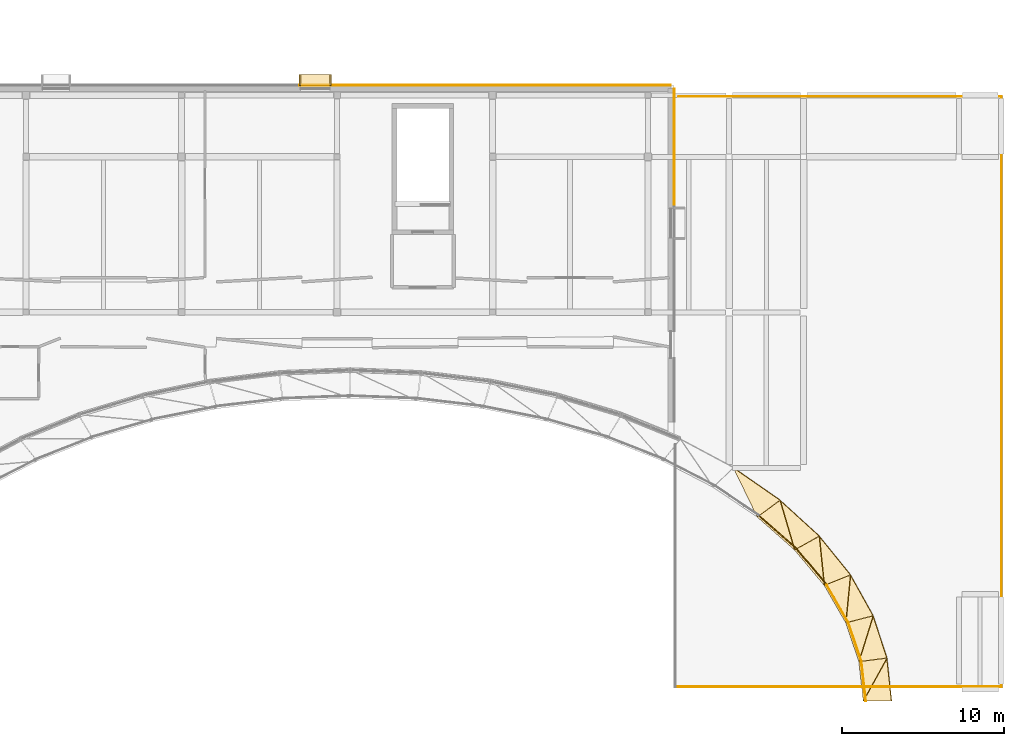
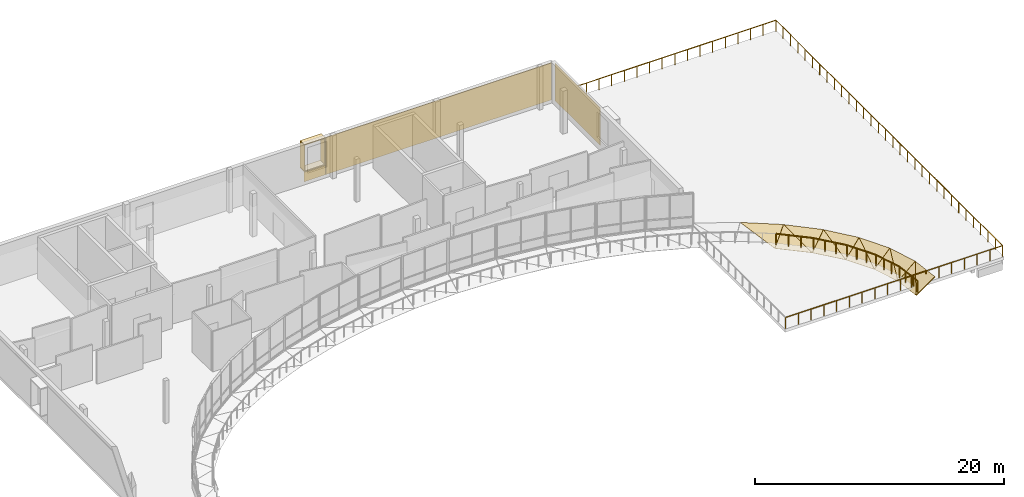
# One storey, part 18 of 18: 18 coverings, 8 railings.
"""IFC4 building model written with IfcOpenShell, lengths in metres."""

from ifc_helpers import new_model, si_unit, direction, frame, origin, origin_2d, place, context, subcontext, project, spatial, polyline, rectangle, circle, outline, extrude, material, layer, layer_set, type_object, element, save


model = new_model("IFC4")

# Units and contexts
model_context = context("Model", 3, precision=1e-05, world=origin(), true_north=direction((0.0, 1.0)))
body_context = subcontext(model_context, "Body", "Model", "MODEL_VIEW")
ifc_project = project(units=[si_unit("LENGTHUNIT", "METRE"), si_unit("AREAUNIT", "SQUARE_METRE"), si_unit("VOLUMEUNIT", "CUBIC_METRE"), si_unit("PLANEANGLEUNIT", "RADIAN"), si_unit("MASSUNIT", "GRAM", prefix="KILO")], contexts=[model_context])

# Site, building, storey
site_placement = place(None, origin())
site = spatial("IfcSite", under=ifc_project, at=site_placement, CompositionType="ELEMENT")
building_placement = place(site_placement, origin())
building = spatial("IfcBuilding", under=site, at=building_placement, Name="Mzevani Central Library", CompositionType="ELEMENT")
storey_placement = place(building_placement, frame((0.0, 0.0, 18.300048828125)))
storey = spatial("IfcBuildingStorey", under=building, at=storey_placement, Name="L04", CompositionType="ELEMENT", Elevation=18.300048828125)

# Coverings
ifc_material_1 = material(Name="Limestone ashlar cladding", Category="masonry")
ifc_layer = layer(ifc_material_1, 0.050048828125, Name="Limestone Ashlar Spandrel Cladding")
ifc_layer_set = layer_set([ifc_layer], Name="Limestone ashlar cladding")
covering_type = type_object("IfcCoveringType", Name="Limestone Ashlar Spandrel Cladding", PredefinedType="CLADDING", material=ifc_layer_set)
covering_1_placement = place(storey_placement, frame((115.679931640625, 76.003173828125, -0.280029296875), z_axis=(-0.573874469756, -0.063840723346, 0.816451134487), x_axis=(-0.110563069509, 0.993869109924, 0.0)))
element("IfcCovering", 1, at=covering_1_placement, inside=storey, type_object=covering_type, Name="L04 Curved Court Spandrel Apron 1A", PredefinedType="CLADDING", context=body_context, shape_type="SweptSolid", body=[
    extrude(outline(polyline([(0.0, 0.0), (2.4444298903316177, 5.551115123125783e-17), (2.4663884616141893, -2.130151554260535), (0.0, 0.0)])), origin(), (0.0, 0.0, -1.0), 0.06005859375),
])
covering_2_placement = place(storey_placement, frame((115.679931640625, 76.003173828125, -0.280029296875), z_axis=(-0.575992040672, -0.062044672899, 0.815097311765), x_axis=(0.446714421775, 0.811172859127, 0.377418624334)))
element("IfcCovering", 2, at=covering_2_placement, inside=storey, type_object=covering_type, Name="L04 Curved Court Spandrel Apron 1B", PredefinedType="CLADDING", context=body_context, shape_type="SweptSolid", body=[
    extrude(outline(polyline([(0.0, 0.0), (3.258928917252136, 0.0), (1.24585315338892, -1.7286690655142163), (0.0, 0.0)])), origin(), (0.0, 0.0, -1.0), 0.06005859375),
])
covering_3_placement = place(storey_placement, frame((115.4091796875, 78.438720703125, -0.280029296875), z_axis=(-0.548247757968, -0.185159748933, 0.815561317902), x_axis=(-0.319974314627, 0.947426217697, 0.0)))
element("IfcCovering", 3, at=covering_3_placement, inside=storey, type_object=covering_type, Name="L04 Curved Court Spandrel Apron 2A", PredefinedType="CLADDING", context=body_context, shape_type="SweptSolid", body=[
    extrude(outline(polyline([(0.0, 0.0), (2.520191301339411, 0.0), (2.389041307488712, -2.1255276039208253), (0.0, 0.0)])), origin(), (0.0, 0.0, -1.0), 0.06005859375),
])
covering_4_placement = place(storey_placement, frame((115.4091796875, 78.438720703125, -0.280029296875), z_axis=(-0.555054938368, -0.181394943138, 0.811794241171), x_axis=(0.274549008871, 0.881290102724, 0.384643466822)))
element("IfcCovering", 4, at=covering_4_placement, inside=storey, type_object=covering_type, Name="L04 Curved Court Spandrel Apron 2B", PredefinedType="CLADDING", context=body_context, shape_type="SweptSolid", body=[
    extrude(outline(polyline([(0.0, 0.0), (3.1977157415750357, 1.1102230246251565e-16), (1.1451711685179915, -1.7969163083445776), (0.0, 0.0)])), origin(), (0.0, 0.0, -1.0), 0.06005859375),
])
covering_5_placement = place(storey_placement, frame((114.601806640625, 80.8330078125, -0.280029296875), z_axis=(-0.504104744821, -0.29059967444, 0.813283613178), x_axis=(-0.499425873278, 0.866356622357, 0.0)))
element("IfcCovering", 5, at=covering_5_placement, inside=storey, type_object=covering_type, Name="L04 Curved Court Spandrel Apron 3A", PredefinedType="CLADDING", context=body_context, shape_type="SweptSolid", body=[
    extrude(outline(polyline([(0.0, 0.0), (2.660770082163023, -1.1102230246251565e-16), (2.408333486391287, -2.11384982073161), (0.0, 0.0)])), origin(), (0.0, 0.0, -1.0), 0.06005859375),
])
covering_6_placement = place(storey_placement, frame((114.601806640625, 80.8330078125, -0.280029296875), z_axis=(-0.515036634222, -0.287174985323, 0.807630975888), x_axis=(0.089445006334, 0.919058868322, 0.38383640708)))
element("IfcCovering", 6, at=covering_6_placement, inside=storey, type_object=covering_type, Name="L04 Curved Court Spandrel Apron 3B", PredefinedType="CLADDING", context=body_context, shape_type="SweptSolid", body=[
    extrude(outline(polyline([(0.0, 0.0), (3.204439302948438, 1.1102230246251565e-16), (1.0282913174931374, -1.865880220454724), (0.0, 0.0)])), origin(), (0.0, 0.0, -1.0), 0.06005859375),
])
covering_7_placement = place(storey_placement, frame((113.271484375, 83.14501953125, -0.280029296875), z_axis=(-0.448713884371, -0.375717607341, 0.810858883843), x_axis=(-0.641987053699, 0.766715477138, 0.0)))
element("IfcCovering", 7, at=covering_7_placement, inside=storey, type_object=covering_type, Name="L04 Curved Court Spandrel Apron 4A", PredefinedType="CLADDING", context=body_context, shape_type="SweptSolid", body=[
    extrude(outline(polyline([(0.0, 0.0), (2.8479844415707163, 2.220446049250313e-16), (2.515167301937165, -2.1016623171574516), (0.0, 0.0)])), origin(), (0.0, 0.0, -1.0), 0.06005859375),
])
covering_8_placement = place(storey_placement, frame((113.271484375, 83.14501953125, -0.280029296875), z_axis=(-0.462063982927, -0.37428514762, 0.803994716371), x_axis=(-0.094001673891, 0.922140033893, 0.375261832856)))
element("IfcCovering", 8, at=covering_8_placement, inside=storey, type_object=covering_type, Name="L04 Curved Court Spandrel Apron 4B", PredefinedType="CLADDING", context=body_context, shape_type="SweptSolid", body=[
    extrude(outline(polyline([(0.0, 0.0), (3.27765938622266, 1.1102230246251565e-16), (0.9106341963624587, -1.9256661834182838), (0.0, 0.0)])), origin(), (0.0, 0.0, -1.0), 0.06005859375),
])
covering_9_placement = place(storey_placement, frame((111.44091796875, 85.33544921875, -0.280029296875), z_axis=(-0.388427895806, -0.44065861262, 0.809285954952), x_axis=(-0.750165898803, 0.661249668638, 0.0)))
element("IfcCovering", 9, at=covering_9_placement, inside=storey, type_object=covering_type, Name="L04 Curved Court Spandrel Apron 5A", PredefinedType="CLADDING", context=body_context, shape_type="SweptSolid", body=[
    extrude(outline(polyline([(0.0, 0.0), (3.0614972808547956, 0.0), (2.689399199988631, -2.0938871439797593), (0.0, 0.0)])), origin(), (0.0, 0.0, -1.0), 0.06005859375),
])
covering_10_placement = place(storey_placement, frame((111.44091796875, 85.33544921875, -0.280029296875), z_axis=(-0.402473723418, -0.441764527825, 0.801784886309), x_axis=(-0.263164851104, 0.894717516371, 0.360866771874)))
element("IfcCovering", 10, at=covering_10_placement, inside=storey, type_object=covering_type, Name="L04 Curved Court Spandrel Apron 5B", PredefinedType="CLADDING", context=body_context, shape_type="SweptSolid", body=[
    extrude(outline(polyline([(0.0, 0.0), (3.4084059952745065, 2.220446049250313e-16), (0.8066250526799662, -1.9709921812132158), (0.0, 0.0)])), origin(), (0.0, 0.0, -1.0), 0.06005859375),
])
covering_11_placement = place(storey_placement, frame((109.14111328125, 87.3671875, -0.280029296875), z_axis=(-0.341109764885, -0.491387427209, 0.801362916961), x_axis=(-0.41031460234, 0.844825497675, 0.343382884815)))
element("IfcCovering", 11, at=covering_11_placement, inside=storey, type_object=covering_type, Name="L04 Curved Court Spandrel Apron 6B", PredefinedType="CLADDING", context=body_context, shape_type="SweptSolid", body=[
    extrude(outline(polyline([(0.0, 0.0), (3.581950420769747, 1.1102230246251565e-16), (0.727665954725093, -2.001039413970195), (0.0, 0.0)])), origin(), (0.0, 0.0, -1.0), 0.06005859375),
])
for number, where, z_axis, x_axis, name in (
    (12, (81.853271484375, 114.337890625, 3.5498046875), (0.0, 0.0, 1.0), (1.0, 0.0, 0.0), "L04 Deep Window Reveal HD (REV4-0133)"),
    (13, (81.853271484375, 114.337890625, 0.9599609375), (0.0, 0.0, 1.0), (1.0, 0.0, 0.0), "L04 Deep Window Reveal SL (REV4-0133)"),
):
    element("IfcCovering", number, at=place(storey_placement, frame(where, z_axis=z_axis, x_axis=x_axis)), inside=storey, type_object=covering_type, Name=name, PredefinedType="CLADDING", context=body_context, shape_type="SweptSolid", body=[
        extrude(rectangle(XDim=1.97998046875, YDim=0.679931640625, at=origin_2d()), origin(), (0.0, 0.0, 1.0), 0.090087890625),
    ])
for number, where, z_axis, x_axis, name in (
    (14, (80.908203125, 114.337890625, 1.050048828125), (0.0, 0.0, 1.0), (1.0, 0.0, 0.0), "L04 Deep Window Reveal JL (REV4-0133)"),
    (15, (82.798095703125, 114.337890625, 1.050048828125), (0.0, 0.0, 1.0), (1.0, 0.0, 0.0), "L04 Deep Window Reveal JR (REV4-0133)"),
):
    element("IfcCovering", number, at=place(storey_placement, frame(where, z_axis=z_axis, x_axis=x_axis)), inside=storey, type_object=covering_type, Name=name, PredefinedType="CLADDING", context=body_context, shape_type="SweptSolid", body=[
        extrude(rectangle(XDim=0.090087890625, YDim=0.679931640625, at=origin_2d()), origin(), (0.0, 0.0, 1.0), 2.5),
    ])
covering_12_placement = place(storey_placement, frame((81.853271484375, 114.02392578125, 0.0), z_axis=(0.0, 0.0, 1.0), x_axis=(1.0, 0.0, 0.0)))
element("IfcCovering", 16, at=covering_12_placement, inside=storey, type_object=covering_type, Name="L04 Warm-White Sill Cladding 4 (EW4-V3-L04-0069)", PredefinedType="CLADDING", context=body_context, shape_type="SweptSolid", body=[
    extrude(rectangle(XDim=2.0, YDim=0.050048828125, at=origin_2d()), origin(), (0.0, 0.0, 1.0), 0.949951171875),
])
covering_13_placement = place(storey_placement, frame((93.33154296875, 114.02392578125, 0.0), z_axis=(0.0, 0.0, 1.0), x_axis=(1.0, 0.0, 0.0)))
element("IfcCovering", 17, at=covering_13_placement, inside=storey, type_object=covering_type, Name="L04 Warm-White Facade Pier 5 (EW4-V3-L04-0069)", PredefinedType="CLADDING", context=body_context, shape_type="SweptSolid", body=[
    extrude(rectangle(XDim=20.916748046875, YDim=0.050048828125, at=origin_2d()), origin(), (0.0, 0.0, 1.0), 3.64990234375),
])
covering_14_placement = place(storey_placement, frame((104.02392578125, 110.15771484375, 0.0), z_axis=(0.0, 0.0, 1.0), x_axis=(0.0, -1.0, 0.0)))
element("IfcCovering", 18, at=covering_14_placement, inside=storey, type_object=covering_type, Name="L04 Warm-White Facade Pier 1 (EW4-V3-L04-0070)", PredefinedType="CLADDING", context=body_context, shape_type="SweptSolid", body=[
    extrude(rectangle(XDim=7.2646484375, YDim=0.050048828125, at=origin_2d()), origin(), (0.0, 0.0, 1.0), 3.64990234375),
])

# Railings
ifc_material_2 = material(Name="Anodized architectural bronze")
railing_type = type_object("IfcRailingType", Name="Terrace and Court Balustrade 1100", PredefinedType="BALUSTRADE", material=ifc_material_2)
railing_1_placement = place(storey_placement, frame((115.83984375, 76.00927734375, 0.0)))
element("IfcRailing", 19, at=railing_1_placement, inside=storey, type_object=railing_type, Name="L04 Elliptical Court Terrace Guard 1", PredefinedType="BALUSTRADE", context=body_context, shape_type="SweptSolid", body=[
    extrude(circle(Radius=0.02392578125, at=origin_2d()), frame((0.0, 0.0, 1.076171875), z_axis=(-0.110563069509, 0.993869109924, 0.0), x_axis=(-0.993869109924, -0.110563069509, 0.0)), (0.0, 0.0, 1.0), 2.4443359375),
    extrude(circle(Radius=0.02099609375, at=origin_2d()), origin(), (0.0, 0.0, 1.0), 1.052001953125),
    extrude(circle(Radius=0.02099609375, at=origin_2d()), frame((-0.090087890625, 0.809814453125, 0.0)), (0.0, 0.0, 1.0), 1.052001953125),
    extrude(circle(Radius=0.02099609375, at=origin_2d()), frame((-0.18017578125, 1.61962890625, 0.0)), (0.0, 0.0, 1.0), 1.052001953125),
    extrude(circle(Radius=0.02099609375, at=origin_2d()), frame((-0.270263671875, 2.429443359375, 0.0)), (0.0, 0.0, 1.0), 1.052001953125),
])
railing_2_placement = place(storey_placement, frame((115.568115234375, 78.457275390625, 0.0)))
element("IfcRailing", 20, at=railing_2_placement, inside=storey, type_object=railing_type, Name="L04 Elliptical Court Terrace Guard 2", PredefinedType="BALUSTRADE", context=body_context, shape_type="SweptSolid", body=[
    extrude(circle(Radius=0.02392578125, at=origin_2d()), frame((0.0, 0.0, 1.076171875), z_axis=(-0.319944949663, 0.947436134621, 0.0), x_axis=(-0.947436134621, -0.319944949663, 0.0)), (0.0, 0.0, 1.0), 2.5205078125),
    extrude(circle(Radius=0.02099609375, at=origin_2d()), origin(), (0.0, 0.0, 1.0), 1.052001953125),
    extrude(circle(Radius=0.02099609375, at=origin_2d()), frame((-0.268798828125, 0.7958984375, 0.0)), (0.0, 0.0, 1.0), 1.052001953125),
    extrude(circle(Radius=0.02099609375, at=origin_2d()), frame((-0.53759765625, 1.592041015625, 0.0)), (0.0, 0.0, 1.0), 1.052001953125),
    extrude(circle(Radius=0.02099609375, at=origin_2d()), frame((-0.806396484375, 2.387939453125, 0.0)), (0.0, 0.0, 1.0), 1.052001953125),
])
railing_3_placement = place(storey_placement, frame((114.758544921875, 80.8642578125, 0.0)))
element("IfcRailing", 21, at=railing_3_placement, inside=storey, type_object=railing_type, Name="L04 Elliptical Court Terrace Guard 3", PredefinedType="BALUSTRADE", context=body_context, shape_type="SweptSolid", body=[
    extrude(circle(Radius=0.02392578125, at=origin_2d()), frame((0.0, 0.0, 1.076171875), z_axis=(-0.499317302735, 0.866419200612, 0.0), x_axis=(-0.866419200612, -0.499317302735, 0.0)), (0.0, 0.0, 1.0), 2.660888671875),
    extrude(circle(Radius=0.02099609375, at=origin_2d()), origin(), (0.0, 0.0, 1.0), 1.052001953125),
    extrude(circle(Radius=0.02099609375, at=origin_2d()), frame((-0.44287109375, 0.7685546875, 0.0)), (0.0, 0.0, 1.0), 1.052001953125),
    extrude(circle(Radius=0.02099609375, at=origin_2d()), frame((-0.8857421875, 1.536865234375, 0.0)), (0.0, 0.0, 1.0), 1.052001953125),
    extrude(circle(Radius=0.02099609375, at=origin_2d()), frame((-1.32861328125, 2.305419921875, 0.0)), (0.0, 0.0, 1.0), 1.052001953125),
])
railing_4_placement = place(storey_placement, frame((113.425048828125, 83.189697265625, 0.0)))
element("IfcRailing", 22, at=railing_4_placement, inside=storey, type_object=railing_type, Name="L04 Elliptical Court Terrace Guard 4", PredefinedType="BALUSTRADE", context=body_context, shape_type="SweptSolid", body=[
    extrude(circle(Radius=0.02392578125, at=origin_2d()), frame((0.0, 0.0, 1.076171875), z_axis=(-0.641978854782, 0.76672234219, 0.0), x_axis=(-0.76672234219, -0.641978854782, 0.0)), (0.0, 0.0, 1.0), 2.84765625),
    extrude(circle(Radius=0.02099609375, at=origin_2d()), origin(), (0.0, 0.0, 1.0), 1.052001953125),
    extrude(circle(Radius=0.02099609375, at=origin_2d()), frame((-0.609375, 0.727783203125, 0.0)), (0.0, 0.0, 1.0), 1.052001953125),
    extrude(circle(Radius=0.02099609375, at=origin_2d()), frame((-1.21875, 1.45556640625, 0.0)), (0.0, 0.0, 1.0), 1.052001953125),
    extrude(circle(Radius=0.02099609375, at=origin_2d()), frame((-1.828125, 2.183349609375, 0.0)), (0.0, 0.0, 1.0), 1.052001953125),
])
railing_5_placement = place(storey_placement, frame((111.589599609375, 85.39404296875, 0.0)))
element("IfcRailing", 23, at=railing_5_placement, inside=storey, type_object=railing_type, Name="L04 Elliptical Court Terrace Guard 5", PredefinedType="BALUSTRADE", context=body_context, shape_type="SweptSolid", body=[
    extrude(circle(Radius=0.02392578125, at=origin_2d()), frame((0.0, 0.0, 1.076171875), z_axis=(-0.750170588014, 0.661244348844, 0.0), x_axis=(-0.661244348844, -0.750170588014, 0.0)), (0.0, 0.0, 1.0), 3.06103515625),
    extrude(circle(Radius=0.02099609375, at=origin_2d()), origin(), (0.0, 0.0, 1.0), 1.052001953125),
    extrude(circle(Radius=0.02099609375, at=origin_2d()), frame((-0.765380859375, 0.6748046875, 0.0)), (0.0, 0.0, 1.0), 1.052001953125),
    extrude(circle(Radius=0.02099609375, at=origin_2d()), frame((-1.531005859375, 1.349365234375, 0.0)), (0.0, 0.0, 1.0), 1.052001953125),
    extrude(circle(Radius=0.02099609375, at=origin_2d()), frame((-2.29638671875, 2.024169921875, 0.0)), (0.0, 0.0, 1.0), 1.052001953125),
])
railing_6_placement = place(storey_placement, frame((104.300048828125, 113.320068359375, 0.0)))
element("IfcRailing", 24, at=railing_6_placement, inside=storey, type_object=railing_type, Name="L04 Atrium Terrace Planted Roof Garden Perimeter Balustrade 2", PredefinedType="BALUSTRADE", context=body_context, shape_type="SweptSolid", body=[
    extrude(circle(Radius=0.02392578125, at=origin_2d()), frame((0.0, 0.0, 1.076171875), z_axis=(1.0, 0.0, 0.0), x_axis=(0.0, 1.0, 0.0)), (0.0, 0.0, 1.0), 19.919921875),
    extrude(circle(Radius=0.02099609375, at=origin_2d()), origin(), (0.0, 0.0, 1.0), 1.052001953125),
    extrude(circle(Radius=0.02099609375, at=origin_2d()), frame((1.171875, 0.0, 0.0)), (0.0, 0.0, 1.0), 1.052001953125),
    extrude(circle(Radius=0.02099609375, at=origin_2d()), frame((2.343505859375, 0.0, 0.0)), (0.0, 0.0, 1.0), 1.052001953125),
    extrude(circle(Radius=0.02099609375, at=origin_2d()), frame((3.515380859375, 0.0, 0.0)), (0.0, 0.0, 1.0), 1.052001953125),
    extrude(circle(Radius=0.02099609375, at=origin_2d()), frame((4.68701171875, 0.0, 0.0)), (0.0, 0.0, 1.0), 1.052001953125),
    extrude(circle(Radius=0.02099609375, at=origin_2d()), frame((5.85888671875, 0.0, 0.0)), (0.0, 0.0, 1.0), 1.052001953125),
    extrude(circle(Radius=0.02099609375, at=origin_2d()), frame((7.030517578125, 0.0, 0.0)), (0.0, 0.0, 1.0), 1.052001953125),
    extrude(circle(Radius=0.02099609375, at=origin_2d()), frame((8.202392578125, 0.0, 0.0)), (0.0, 0.0, 1.0), 1.052001953125),
    extrude(circle(Radius=0.02099609375, at=origin_2d()), frame((9.3740234375, 0.0, 0.0)), (0.0, 0.0, 1.0), 1.052001953125),
    extrude(circle(Radius=0.02099609375, at=origin_2d()), frame((10.5458984375, 0.0, 0.0)), (0.0, 0.0, 1.0), 1.052001953125),
    extrude(circle(Radius=0.02099609375, at=origin_2d()), frame((11.717529296875, 0.0, 0.0)), (0.0, 0.0, 1.0), 1.052001953125),
    extrude(circle(Radius=0.02099609375, at=origin_2d()), frame((12.889404296875, 0.0, 0.0)), (0.0, 0.0, 1.0), 1.052001953125),
    extrude(circle(Radius=0.02099609375, at=origin_2d()), frame((14.06103515625, 0.0, 0.0)), (0.0, 0.0, 1.0), 1.052001953125),
    extrude(circle(Radius=0.02099609375, at=origin_2d()), frame((15.23291015625, 0.0, 0.0)), (0.0, 0.0, 1.0), 1.052001953125),
    extrude(circle(Radius=0.02099609375, at=origin_2d()), frame((16.404541015625, 0.0, 0.0)), (0.0, 0.0, 1.0), 1.052001953125),
    extrude(circle(Radius=0.02099609375, at=origin_2d()), frame((17.576416015625, 0.0, 0.0)), (0.0, 0.0, 1.0), 1.052001953125),
    extrude(circle(Radius=0.02099609375, at=origin_2d()), frame((18.748046875, 0.0, 0.0)), (0.0, 0.0, 1.0), 1.052001953125),
    extrude(circle(Radius=0.02099609375, at=origin_2d()), frame((19.919921875, 0.0, 0.0)), (0.0, 0.0, 1.0), 1.052001953125),
])
railing_7_placement = place(storey_placement, frame((124.219970703125, 113.320068359375, 0.0)))
element("IfcRailing", 25, at=railing_7_placement, inside=storey, type_object=railing_type, Name="L04 Atrium Terrace Planted Roof Garden Perimeter Balustrade 3", PredefinedType="BALUSTRADE", context=body_context, shape_type="SweptSolid", body=[
    extrude(circle(Radius=0.02392578125, at=origin_2d()), frame((0.0, 0.0, 1.076171875), z_axis=(0.0, -1.0, 0.0), x_axis=(1.0, 0.0, 0.0)), (0.0, 0.0, 1.0), 36.440185546875),
    extrude(circle(Radius=0.02099609375, at=origin_2d()), origin(), (0.0, 0.0, 1.0), 1.052001953125),
    extrude(circle(Radius=0.02099609375, at=origin_2d()), frame((0.0, -1.175537109375, 0.0)), (0.0, 0.0, 1.0), 1.052001953125),
    extrude(circle(Radius=0.02099609375, at=origin_2d()), frame((0.0, -2.35107421875, 0.0)), (0.0, 0.0, 1.0), 1.052001953125),
    extrude(circle(Radius=0.02099609375, at=origin_2d()), frame((0.0, -3.5263671875, 0.0)), (0.0, 0.0, 1.0), 1.052001953125),
    extrude(circle(Radius=0.02099609375, at=origin_2d()), frame((0.0, -4.701904296875, 0.0)), (0.0, 0.0, 1.0), 1.052001953125),
    extrude(circle(Radius=0.02099609375, at=origin_2d()), frame((0.0, -5.87744140625, 0.0)), (0.0, 0.0, 1.0), 1.052001953125),
    extrude(circle(Radius=0.02099609375, at=origin_2d()), frame((0.0, -7.052978515625, 0.0)), (0.0, 0.0, 1.0), 1.052001953125),
    extrude(circle(Radius=0.02099609375, at=origin_2d()), frame((0.0, -8.228515625, 0.0)), (0.0, 0.0, 1.0), 1.052001953125),
    extrude(circle(Radius=0.02099609375, at=origin_2d()), frame((0.0, -9.40380859375, 0.0)), (0.0, 0.0, 1.0), 1.052001953125),
    extrude(circle(Radius=0.02099609375, at=origin_2d()), frame((0.0, -10.579345703125, 0.0)), (0.0, 0.0, 1.0), 1.052001953125),
    extrude(circle(Radius=0.02099609375, at=origin_2d()), frame((0.0, -11.7548828125, 0.0)), (0.0, 0.0, 1.0), 1.052001953125),
    extrude(circle(Radius=0.02099609375, at=origin_2d()), frame((0.0, -12.930419921875, 0.0)), (0.0, 0.0, 1.0), 1.052001953125),
    extrude(circle(Radius=0.02099609375, at=origin_2d()), frame((0.0, -14.10595703125, 0.0)), (0.0, 0.0, 1.0), 1.052001953125),
    extrude(circle(Radius=0.02099609375, at=origin_2d()), frame((0.0, -15.28125, 0.0)), (0.0, 0.0, 1.0), 1.052001953125),
    extrude(circle(Radius=0.02099609375, at=origin_2d()), frame((0.0, -16.456787109375, 0.0)), (0.0, 0.0, 1.0), 1.052001953125),
    extrude(circle(Radius=0.02099609375, at=origin_2d()), frame((0.0, -17.63232421875, 0.0)), (0.0, 0.0, 1.0), 1.052001953125),
    extrude(circle(Radius=0.02099609375, at=origin_2d()), frame((0.0, -18.807861328125, 0.0)), (0.0, 0.0, 1.0), 1.052001953125),
    extrude(circle(Radius=0.02099609375, at=origin_2d()), frame((0.0, -19.9833984375, 0.0)), (0.0, 0.0, 1.0), 1.052001953125),
    extrude(circle(Radius=0.02099609375, at=origin_2d()), frame((0.0, -21.158935546875, 0.0)), (0.0, 0.0, 1.0), 1.052001953125),
    extrude(circle(Radius=0.02099609375, at=origin_2d()), frame((0.0, -22.334228515625, 0.0)), (0.0, 0.0, 1.0), 1.052001953125),
    extrude(circle(Radius=0.02099609375, at=origin_2d()), frame((0.0, -23.509765625, 0.0)), (0.0, 0.0, 1.0), 1.052001953125),
    extrude(circle(Radius=0.02099609375, at=origin_2d()), frame((0.0, -24.685302734375, 0.0)), (0.0, 0.0, 1.0), 1.052001953125),
    extrude(circle(Radius=0.02099609375, at=origin_2d()), frame((0.0, -25.86083984375, 0.0)), (0.0, 0.0, 1.0), 1.052001953125),
    extrude(circle(Radius=0.02099609375, at=origin_2d()), frame((0.0, -27.036376953125, 0.0)), (0.0, 0.0, 1.0), 1.052001953125),
    extrude(circle(Radius=0.02099609375, at=origin_2d()), frame((0.0, -28.211669921875, 0.0)), (0.0, 0.0, 1.0), 1.052001953125),
    extrude(circle(Radius=0.02099609375, at=origin_2d()), frame((0.0, -29.38720703125, 0.0)), (0.0, 0.0, 1.0), 1.052001953125),
    extrude(circle(Radius=0.02099609375, at=origin_2d()), frame((0.0, -30.562744140625, 0.0)), (0.0, 0.0, 1.0), 1.052001953125),
    extrude(circle(Radius=0.02099609375, at=origin_2d()), frame((0.0, -31.73828125, 0.0)), (0.0, 0.0, 1.0), 1.052001953125),
    extrude(circle(Radius=0.02099609375, at=origin_2d()), frame((0.0, -32.913818359375, 0.0)), (0.0, 0.0, 1.0), 1.052001953125),
    extrude(circle(Radius=0.02099609375, at=origin_2d()), frame((0.0, -34.089111328125, 0.0)), (0.0, 0.0, 1.0), 1.052001953125),
    extrude(circle(Radius=0.02099609375, at=origin_2d()), frame((0.0, -35.2646484375, 0.0)), (0.0, 0.0, 1.0), 1.052001953125),
    extrude(circle(Radius=0.02099609375, at=origin_2d()), frame((0.0, -36.440185546875, 0.0)), (0.0, 0.0, 1.0), 1.052001953125),
])
railing_8_placement = place(storey_placement, frame((124.219970703125, 76.8798828125, 0.0)))
element("IfcRailing", 26, at=railing_8_placement, inside=storey, type_object=railing_type, Name="L04 Atrium Terrace Planted Roof Garden Perimeter Balustrade 4", PredefinedType="BALUSTRADE", context=body_context, shape_type="SweptSolid", body=[
    extrude(circle(Radius=0.02392578125, at=origin_2d()), frame((0.0, 0.0, 1.076171875), z_axis=(-1.0, 0.0, 0.0), x_axis=(0.0, -1.0, 0.0)), (0.0, 0.0, 1.0), 20.139892578125),
    extrude(circle(Radius=0.02099609375, at=origin_2d()), origin(), (0.0, 0.0, 1.0), 1.052001953125),
    extrude(circle(Radius=0.02099609375, at=origin_2d()), frame((-1.184814453125, 0.0, 0.0)), (0.0, 0.0, 1.0), 1.052001953125),
    extrude(circle(Radius=0.02099609375, at=origin_2d()), frame((-2.369384765625, 0.0, 0.0)), (0.0, 0.0, 1.0), 1.052001953125),
    extrude(circle(Radius=0.02099609375, at=origin_2d()), frame((-3.55419921875, 0.0, 0.0)), (0.0, 0.0, 1.0), 1.052001953125),
    extrude(circle(Radius=0.02099609375, at=origin_2d()), frame((-4.73876953125, 0.0, 0.0)), (0.0, 0.0, 1.0), 1.052001953125),
    extrude(circle(Radius=0.02099609375, at=origin_2d()), frame((-5.923583984375, 0.0, 0.0)), (0.0, 0.0, 1.0), 1.052001953125),
    extrude(circle(Radius=0.02099609375, at=origin_2d()), frame((-7.108154296875, 0.0, 0.0)), (0.0, 0.0, 1.0), 1.052001953125),
    extrude(circle(Radius=0.02099609375, at=origin_2d()), frame((-8.29296875, 0.0, 0.0)), (0.0, 0.0, 1.0), 1.052001953125),
    extrude(circle(Radius=0.02099609375, at=origin_2d()), frame((-9.4775390625, 0.0, 0.0)), (0.0, 0.0, 1.0), 1.052001953125),
    extrude(circle(Radius=0.02099609375, at=origin_2d()), frame((-10.662353515625, 0.0, 0.0)), (0.0, 0.0, 1.0), 1.052001953125),
    extrude(circle(Radius=0.02099609375, at=origin_2d()), frame((-11.846923828125, 0.0, 0.0)), (0.0, 0.0, 1.0), 1.052001953125),
    extrude(circle(Radius=0.02099609375, at=origin_2d()), frame((-13.03173828125, 0.0, 0.0)), (0.0, 0.0, 1.0), 1.052001953125),
    extrude(circle(Radius=0.02099609375, at=origin_2d()), frame((-14.21630859375, 0.0, 0.0)), (0.0, 0.0, 1.0), 1.052001953125),
    extrude(circle(Radius=0.02099609375, at=origin_2d()), frame((-15.401123046875, 0.0, 0.0)), (0.0, 0.0, 1.0), 1.052001953125),
    extrude(circle(Radius=0.02099609375, at=origin_2d()), frame((-16.585693359375, 0.0, 0.0)), (0.0, 0.0, 1.0), 1.052001953125),
    extrude(circle(Radius=0.02099609375, at=origin_2d()), frame((-17.7705078125, 0.0, 0.0)), (0.0, 0.0, 1.0), 1.052001953125),
    extrude(circle(Radius=0.02099609375, at=origin_2d()), frame((-18.955078125, 0.0, 0.0)), (0.0, 0.0, 1.0), 1.052001953125),
    extrude(circle(Radius=0.02099609375, at=origin_2d()), frame((-20.139892578125, 0.0, 0.0)), (0.0, 0.0, 1.0), 1.052001953125),
])

save(model, "model.ifc")
